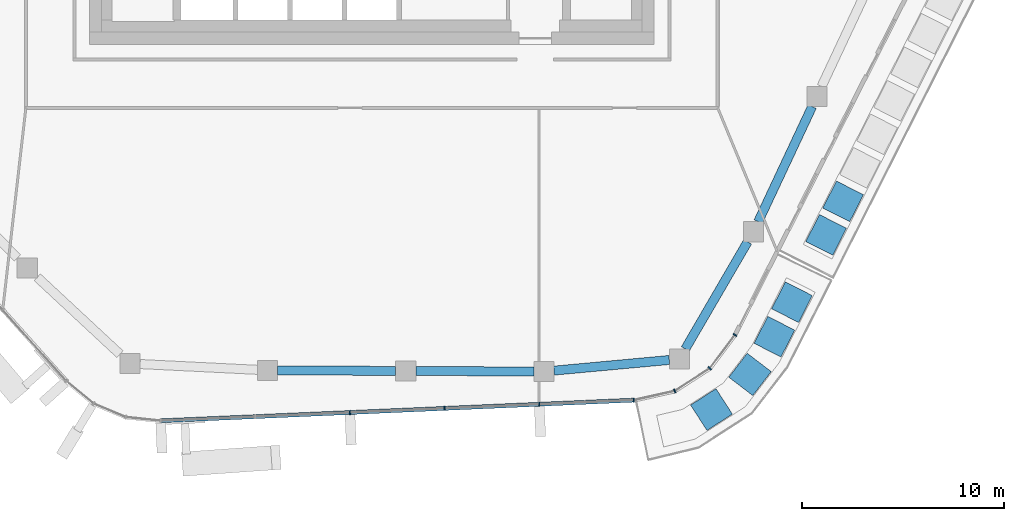
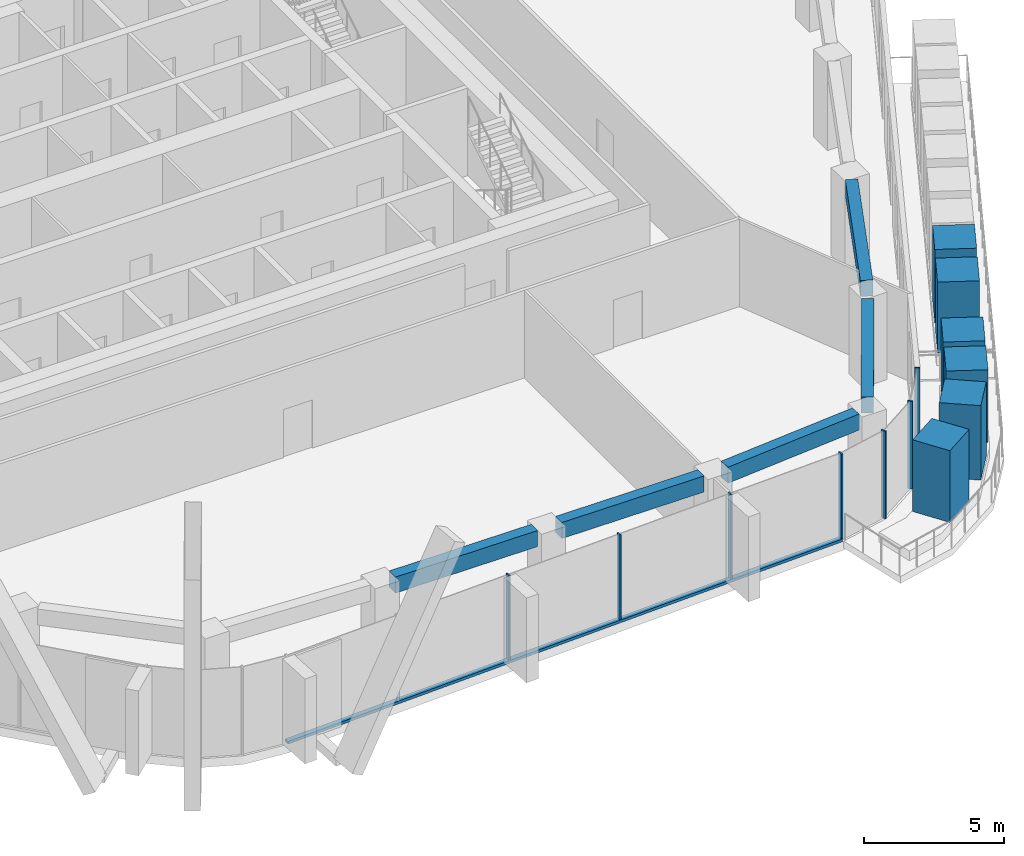
# One storey, part 4 of 23: 14 members, 5 beams, 2 elements without a shape of their own.
"""IFC4 building model written with IfcOpenShell, lengths in metres."""

from ifc_helpers import new_model, si_unit, direction, frame, origin, origin_2d, place, context, subcontext, project, spatial, rectangle, extrude, material, layer, layer_set, material_profile, profile_set, type_object, element, aggregate, save


model = new_model("IFC4")

# Units and contexts
model_context = context("Model", 3, precision=1e-05, world=origin(), true_north=direction((0.0, 1.0)))
body_context = subcontext(model_context, "Body", "Model", "MODEL_VIEW")
ifc_project = project(units=[si_unit("LENGTHUNIT", "METRE"), si_unit("AREAUNIT", "SQUARE_METRE"), si_unit("VOLUMEUNIT", "CUBIC_METRE"), si_unit("PLANEANGLEUNIT", "RADIAN"), si_unit("MASSUNIT", "GRAM", prefix="KILO")], contexts=[model_context])

# Site, building, storey
site_placement = place(None, origin())
site = spatial("IfcSite", under=ifc_project, at=site_placement, CompositionType="ELEMENT")
building_placement = place(site_placement, origin())
building = spatial("IfcBuilding", under=site, at=building_placement, Name="Dongbaek Canopy Tower", CompositionType="ELEMENT")
storey_placement = place(building_placement, frame((0.0, 0.0, 319.39990234375)))
storey = spatial("IfcBuildingStorey", under=building, at=storey_placement, Name="L68", CompositionType="ELEMENT", Elevation=319.39990234375)

# Curtain wall, members
ifc_material_1 = material(Name="Aluminium 6063-T6 pale anodised", Category="aluminium")
ifc_layer = layer(ifc_material_1, 0.199951171875)
ifc_layer_set = layer_set([ifc_layer], Name="CW-1 unitised tower curtain wall")
curtain_wall_type = type_object("IfcCurtainWallType", Name="CW-1 unitised tower curtain wall", PredefinedType="NOTDEFINED", material=ifc_layer_set)
curtain_wall_1_placement = place(storey_placement, origin())
curtain_wall_1 = element("IfcCurtainWall", 1, at=curtain_wall_1_placement, inside=storey, type_object=curtain_wall_type, Name="CW-1 curtain wall F4.1", PredefinedType="NOTDEFINED")
ifc_material_2 = material(Name="Aluminium 6063-T6 pale anodised", Category="aluminium")
ifc_material_profile_1 = material_profile(ifc_material_2, rectangle(XDim=0.199951171875, YDim=0.06005859375, at=origin_2d()), Name="CW-1 mullion 60 x 200")
ifc_profile_set_1 = profile_set([ifc_material_profile_1], Name="Aluminium 6063-T6 pale anodised")
member_type_1 = type_object("IfcMemberType", Name="CW-1 mullion 60 x 200", PredefinedType="MULLION", material=ifc_profile_set_1)
member_1_placement = place(storey_placement, frame((-1.0859375, -29.259033203125, 0.1201171875), z_axis=(0.0, 0.0, 1.0), x_axis=(0.04357165489, -0.999050304484, 0.0)))
member_1 = element("IfcMember", 2, at=member_1_placement, type_object=member_type_1, Name="CW-1 mullion F4.1.3", PredefinedType="MULLION", context=body_context, shape_type="SweptSolid", body=[
    extrude(rectangle(XDim=0.199951171875, YDim=0.06005859375, at=origin_2d()), origin(), (0.0, 0.0, 1.0), 3.699951171875),
])
member_2_placement = place(storey_placement, frame((3.608642578125, -29.05419921875, 0.1201171875), z_axis=(0.0, 0.0, 1.0), x_axis=(0.04357165489, -0.999050304484, 0.0)))
member_2 = element("IfcMember", 3, at=member_2_placement, type_object=member_type_1, Name="CW-1 mullion F4.1.4", PredefinedType="MULLION", context=body_context, shape_type="SweptSolid", body=[
    extrude(rectangle(XDim=0.199951171875, YDim=0.06005859375, at=origin_2d()), origin(), (0.0, 0.0, 1.0), 3.699951171875),
])
member_3_placement = place(storey_placement, frame((8.303466796875, -28.849609375, 0.1201171875), z_axis=(0.0, 0.0, 1.0), x_axis=(0.04357165489, -0.999050304484, 0.0)))
member_3 = element("IfcMember", 4, at=member_3_placement, type_object=member_type_1, Name="CW-1 mullion F4.1.5", PredefinedType="MULLION", context=body_context, shape_type="SweptSolid", body=[
    extrude(rectangle(XDim=0.199951171875, YDim=0.06005859375, at=origin_2d()), origin(), (0.0, 0.0, 1.0), 3.699951171875),
])
member_4_placement = place(storey_placement, frame((12.9892578125, -28.645263671875, 0.1201171875), z_axis=(0.0, 0.0, 1.0), x_axis=(0.04357165489, -0.999050304484, 0.0)))
member_4 = element("IfcMember", 5, at=member_4_placement, type_object=member_type_1, Name="CW-1 mullion F4.1.6", PredefinedType="MULLION", context=body_context, shape_type="SweptSolid", body=[
    extrude(rectangle(XDim=0.199951171875, YDim=0.06005859375, at=origin_2d()), origin(), (0.0, 0.0, 1.0), 3.699951171875),
])

curtain_wall_2_placement = place(storey_placement, origin())
curtain_wall_2 = element("IfcCurtainWall", 6, at=curtain_wall_2_placement, inside=storey, type_object=curtain_wall_type, Name="CW-1 curtain wall K5.1", PredefinedType="NOTDEFINED")
member_5_placement = place(storey_placement, frame((15.01806640625, -28.191650390625, 0.0), z_axis=(0.0, 0.0, 1.0), x_axis=(0.386036880403, -0.9224833478, 0.0)))
member_5 = element("IfcMember", 7, at=member_5_placement, type_object=member_type_1, Name="CW-1 mullion K5.1.2", PredefinedType="MULLION", context=body_context, shape_type="SweptSolid", body=[
    extrude(rectangle(XDim=0.199951171875, YDim=0.06005859375, at=origin_2d()), origin(), (0.0, 0.0, 1.0), 3.820068359375),
])
member_6_placement = place(storey_placement, frame((16.757568359375, -27.06982421875, 0.0), z_axis=(0.0, 0.0, 1.0), x_axis=(0.680963621466, -0.73231724426, 0.0)))
member_6 = element("IfcMember", 8, at=member_6_placement, type_object=member_type_1, Name="CW-1 mullion K5.1.3", PredefinedType="MULLION", context=body_context, shape_type="SweptSolid", body=[
    extrude(rectangle(XDim=0.199951171875, YDim=0.06005859375, at=origin_2d()), origin(), (0.0, 0.0, 1.0), 3.820068359375),
])
member_7_placement = place(storey_placement, frame((18.008056640625, -25.4091796875, 0.0), z_axis=(0.0, 0.0, 1.0), x_axis=(0.798891953593, -0.60147456013, 0.0)))
member_7 = element("IfcMember", 9, at=member_7_placement, type_object=member_type_1, Name="CW-1 mullion K5.1.4", PredefinedType="MULLION", context=body_context, shape_type="SweptSolid", body=[
    extrude(rectangle(XDim=0.199951171875, YDim=0.06005859375, at=origin_2d()), origin(), (0.0, 0.0, 1.0), 3.820068359375),
])
aggregate(curtain_wall_2, [member_5, member_6, member_7])

# Member
ifc_material_3 = material(Name="Aluminium 6063-T6 pale anodised", Category="aluminium")
ifc_material_profile_2 = material_profile(ifc_material_3, rectangle(XDim=0.199951171875, YDim=0.1201171875, at=origin_2d()), Name="CW-1 transom 120 x 200")
ifc_profile_set_2 = profile_set([ifc_material_profile_2], Name="Aluminium 6063-T6 pale anodised")
member_type_2 = type_object("IfcMemberType", Name="CW-1 transom 120 x 200", PredefinedType="USERDEFINED", material=ifc_profile_set_2)
member_8_placement = place(storey_placement, frame((-10.4677734375, -29.668212890625, 0.06005859375), z_axis=(0.999050460253, 0.043568083144, 0.0), x_axis=(-0.043568083144, 0.999050460253, 0.0)))
member_8 = element("IfcMember", 10, at=member_8_placement, type_object=member_type_2, Name="CW-1 transom F4.1.1", ObjectType="TRANSOM", PredefinedType="USERDEFINED", context=body_context, shape_type="SweptSolid", body=[
    extrude(rectangle(XDim=0.199951171875, YDim=0.1201171875, at=origin_2d()), origin(), (0.0, 0.0, 1.0), 23.479248046875),
])

aggregate(curtain_wall_1, [member_1, member_2, member_3, member_4, member_8])

# Beams
ifc_material_4 = material(Name="Concrete C60", Category="concrete")
ifc_material_profile_3 = material_profile(ifc_material_4, rectangle(XDim=0.449951171875, YDim=0.699951171875, at=origin_2d()), Name="RC EDGE BEAM 450x700 C60")
ifc_profile_set_3 = profile_set([ifc_material_profile_3], Name="Concrete C60")
beam_type = type_object("IfcBeamType", Name="RC EDGE BEAM 450x700 C60", PredefinedType="BEAM", material=ifc_profile_set_3)
beam_1_placement = place(storey_placement, frame((14.751953125, -26.653076171875, 3.47021484375), z_axis=(-0.995766439544, -0.091919518479, 0.0), x_axis=(0.091919518479, -0.995766439544, 0.0)))
element("IfcBeam", 11, at=beam_1_placement, inside=storey, type_object=beam_type, Name="EDGEBEAM:L68:00", PredefinedType="BEAM", context=body_context, shape_type="SweptSolid", body=[
    extrude(rectangle(XDim=0.449951171875, YDim=0.699951171875, at=origin_2d()), origin(), (0.0, 0.0, 1.0), 5.742431640625),
])
beam_2_placement = place(storey_placement, frame((8.033935546875, -27.224853515625, 3.47021484375), z_axis=(-0.999990401851, 0.004381347473, 0.0), x_axis=(-0.004381347473, -0.999990401851, 0.0)))
element("IfcBeam", 12, at=beam_2_placement, inside=storey, type_object=beam_type, Name="EDGEBEAM:L68:01", PredefinedType="BEAM", context=body_context, shape_type="SweptSolid", body=[
    extrude(rectangle(XDim=0.449951171875, YDim=0.699951171875, at=origin_2d()), origin(), (0.0, 0.0, 1.0), 5.850830078125),
])
beam_3_placement = place(storey_placement, frame((1.18310546875, -27.19482421875, 3.47021484375), z_axis=(-0.999990396242, 0.004382627582, 0.0), x_axis=(-0.004382627582, -0.999990396242, 0.0)))
element("IfcBeam", 13, at=beam_3_placement, inside=storey, type_object=beam_type, Name="EDGEBEAM:L68:02", PredefinedType="BEAM", context=body_context, shape_type="SweptSolid", body=[
    extrude(rectangle(XDim=0.449951171875, YDim=0.699951171875, at=origin_2d()), origin(), (0.0, 0.0, 1.0), 5.84912109375),
])
beam_4_placement = place(storey_placement, frame((21.833740234375, -14.087890625, 3.47021484375), z_axis=(-0.424294949226, -0.905524044993, 0.0), x_axis=(0.905524044993, -0.424294949226, 0.0)))
element("IfcBeam", 14, at=beam_4_placement, inside=storey, type_object=beam_type, Name="EDGEBEAM:L68:24", PredefinedType="BEAM", context=body_context, shape_type="SweptSolid", body=[
    extrude(rectangle(XDim=0.449951171875, YDim=0.699951171875, at=origin_2d()), origin(), (0.0, 0.0, 1.0), 6.303466796875),
])
beam_5_placement = place(storey_placement, frame((18.634033203125, -20.7958984375, 3.47021484375), z_axis=(-0.503016078482, -0.864277053258, 0.0), x_axis=(0.864277053258, -0.503016078482, 0.0)))
element("IfcBeam", 15, at=beam_5_placement, inside=storey, type_object=beam_type, Name="EDGEBEAM:L68:25", PredefinedType="BEAM", context=body_context, shape_type="SweptSolid", body=[
    extrude(rectangle(XDim=0.449951171875, YDim=0.699951171875, at=origin_2d()), origin(), (0.0, 0.0, 1.0), 6.14501953125),
])

# Members
ifc_material_5 = material(Name="Concrete C40/50 planter mass with planting", Category="concrete")
ifc_material_profile_4 = material_profile(ifc_material_5, rectangle(XDim=1.5, YDim=1.5, at=origin_2d()), Name="Terrace PLANTER shrub mass 1500 x 1500")
ifc_profile_set_4 = profile_set([ifc_material_profile_4], Name="Concrete C40/50 planter mass with planting")
member_type_3 = type_object("IfcMemberType", Name="Terrace PLANTER shrub mass 1500 x 1500", PredefinedType="USERDEFINED", material=ifc_profile_set_4)
member_9_placement = place(storey_placement, frame((22.52685546875, -20.450927734375, 0.420166015625), z_axis=(0.0, 0.0, 1.0), x_axis=(0.892033145359, -0.451969985266, 0.0)))
element("IfcMember", 16, at=member_9_placement, inside=storey, type_object=member_type_3, Name="Planter shrubs L68 4.1", ObjectType="PLANTER", PredefinedType="USERDEFINED", context=body_context, shape_type="SweptSolid", body=[
    extrude(rectangle(XDim=1.5, YDim=1.5, at=origin_2d()), origin(), (0.0, 0.0, 1.0), 3.08984375),
])
member_10_placement = place(storey_placement, frame((23.368896484375, -18.788818359375, 0.420166015625), z_axis=(0.0, 0.0, 1.0), x_axis=(0.892033145359, -0.451969985266, 0.0)))
element("IfcMember", 17, at=member_10_placement, inside=storey, type_object=member_type_3, Name="Planter shrubs L68 4.2", ObjectType="PLANTER", PredefinedType="USERDEFINED", context=body_context, shape_type="SweptSolid", body=[
    extrude(rectangle(XDim=1.5, YDim=1.5, at=origin_2d()), origin(), (0.0, 0.0, 1.0), 3.2099609375),
])
member_11_placement = place(storey_placement, frame((16.843505859375, -29.113037109375, 0.420166015625), z_axis=(0.0, 0.0, 1.0), x_axis=(0.541907099486, -0.840438394843, 0.0)))
element("IfcMember", 18, at=member_11_placement, inside=storey, type_object=member_type_3, Name="Planter shrubs L68 7.1", ObjectType="PLANTER", PredefinedType="USERDEFINED", context=body_context, shape_type="SweptSolid", body=[
    extrude(rectangle(XDim=1.5, YDim=1.5, at=origin_2d()), origin(), (0.0, 0.0, 1.0), 3.1298828125),
])
member_12_placement = place(storey_placement, frame((18.752685546875, -27.368896484375, 0.420166015625), z_axis=(0.0, 0.0, 1.0), x_axis=(0.794234986765, -0.607610718963, 0.0)))
element("IfcMember", 19, at=member_12_placement, inside=storey, type_object=member_type_3, Name="Planter shrubs L68 7.2", ObjectType="PLANTER", PredefinedType="USERDEFINED", context=body_context, shape_type="SweptSolid", body=[
    extrude(rectangle(XDim=1.5, YDim=1.5, at=origin_2d()), origin(), (0.0, 0.0, 1.0), 3.25),
])
member_13_placement = place(storey_placement, frame((19.963134765625, -25.5, 0.420166015625), z_axis=(0.0, 0.0, 1.0), x_axis=(0.891259147626, -0.453494356936, 0.0)))
element("IfcMember", 20, at=member_13_placement, inside=storey, type_object=member_type_3, Name="Planter shrubs L68 7.3", ObjectType="PLANTER", PredefinedType="USERDEFINED", context=body_context, shape_type="SweptSolid", body=[
    extrude(rectangle(XDim=1.5, YDim=1.5, at=origin_2d()), origin(), (0.0, 0.0, 1.0), 3.169921875),
])
member_14_placement = place(storey_placement, frame((20.834228515625, -23.7880859375, 0.420166015625), z_axis=(0.0, 0.0, 1.0), x_axis=(0.891259147626, -0.453494356936, 0.0)))
element("IfcMember", 21, at=member_14_placement, inside=storey, type_object=member_type_3, Name="Planter shrubs L68 7.4", ObjectType="PLANTER", PredefinedType="USERDEFINED", context=body_context, shape_type="SweptSolid", body=[
    extrude(rectangle(XDim=1.5, YDim=1.5, at=origin_2d()), origin(), (0.0, 0.0, 1.0), 3.08984375),
])

save(model, "model.ifc")
